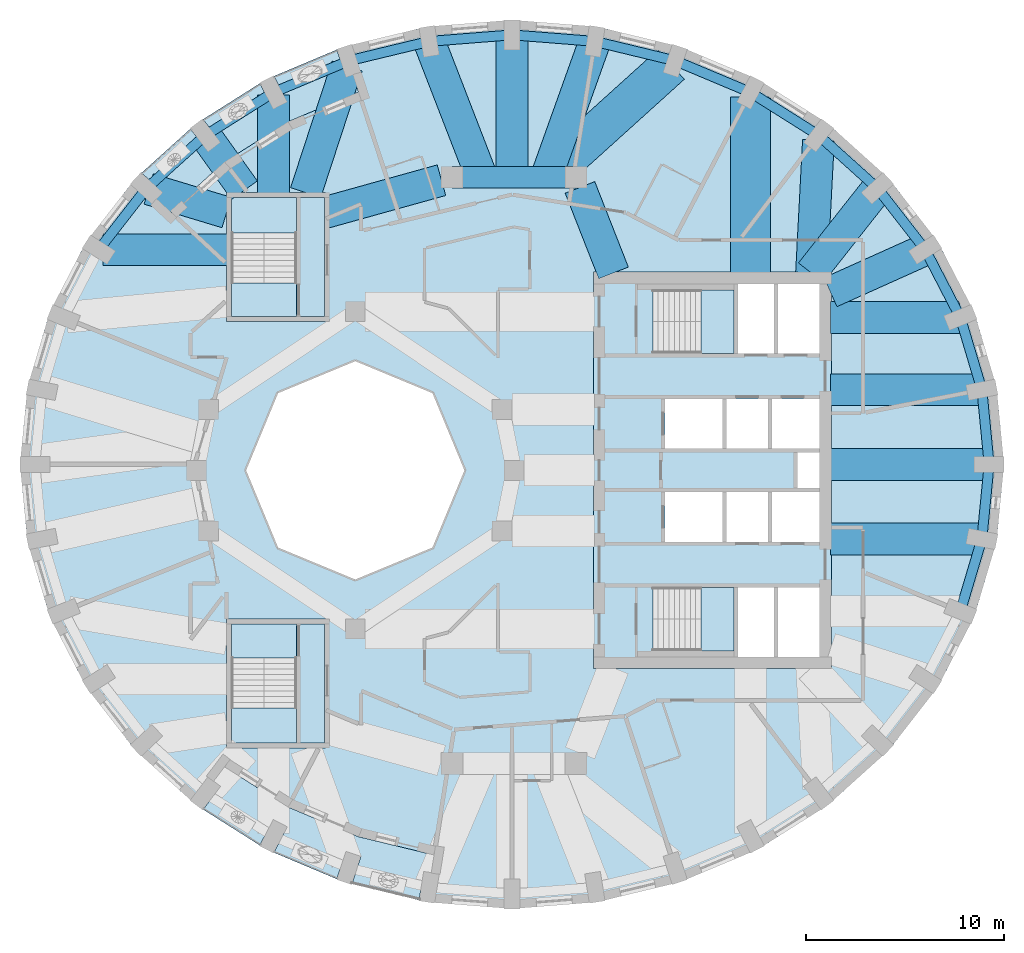
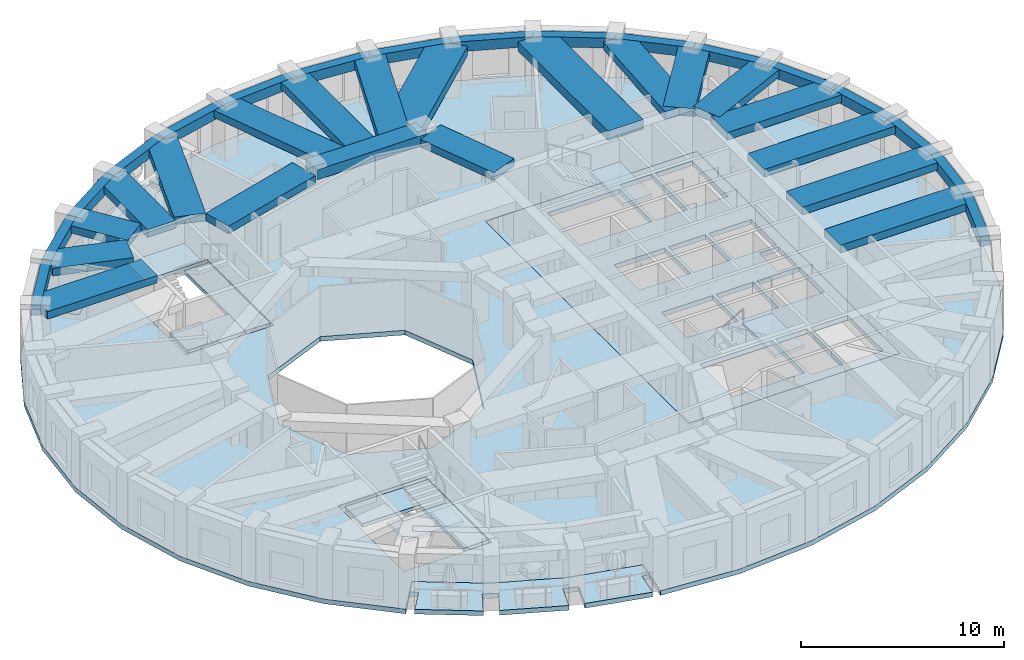
# One storey, part 2 of 12: 37 beams, 12 slabs, 4 elements without a shape of their own.
"""IFC4 building model written with IfcOpenShell, lengths in metres."""

from ifc_helpers import new_model, si_unit, direction, frame, origin, origin_2d, place, context, subcontext, project, spatial, polyline, rectangle, outline, extrude, material, layer, layer_set, material_profile, profile_set, type_object, element, aggregate, save


model = new_model("IFC4")

# Units and contexts
model_context = context("Model", 3, precision=1e-05, world=origin(), true_north=direction((0.0, 1.0)))
body_context = subcontext(model_context, "Body", "Model", "MODEL_VIEW")
ifc_project = project(units=[si_unit("LENGTHUNIT", "METRE"), si_unit("AREAUNIT", "SQUARE_METRE"), si_unit("VOLUMEUNIT", "CUBIC_METRE"), si_unit("PLANEANGLEUNIT", "RADIAN"), si_unit("MASSUNIT", "GRAM", prefix="KILO")], contexts=[model_context])

# Site, building, storey
site_placement = place(None, origin())
site = spatial("IfcSite", under=ifc_project, at=site_placement, CompositionType="ELEMENT")
building_placement = place(site_placement, origin())
building = spatial("IfcBuilding", under=site, at=building_placement, Name="Taillehof Tower", CompositionType="ELEMENT")
storey_placement = place(building_placement, frame((0.0, 0.0, 253.10009765625)))
storey = spatial("IfcBuildingStorey", under=building, at=storey_placement, Name="L72", CompositionType="ELEMENT", Elevation=253.10009765625)

# Beams
ifc_material_1 = material(Name="Concrete C50/60", Category="concrete")
ifc_material_profile_1 = material_profile(ifc_material_1, rectangle(XDim=1.10009765625, YDim=0.60009765625, at=origin_2d()), Name="RC 1100x600")
ifc_profile_set_1 = profile_set([ifc_material_profile_1], Name="Concrete C50/60")
beam_type_1 = type_object("IfcBeamType", Name="Mid-ring beam C50/60 1100x600", PredefinedType="BEAM", material=ifc_profile_set_1)
beam_1_placement = place(storey_placement, frame((3.125732421875, 14.772216796875, 2.719970703125), z_axis=(-1.0, 0.0, 0.0), x_axis=(0.0, -1.0, 0.0)))
element("IfcBeam", 1, at=beam_1_placement, inside=storey, type_object=beam_type_1, Name="Mid-ring beam MB01", PredefinedType="BEAM", context=body_context, shape_type="SweptSolid", body=[
    extrude(rectangle(XDim=1.10009765625, YDim=0.60009765625, at=origin_2d()), origin(), (0.0, 0.0, 1.0), 6.25146484375),
])
ifc_material_2 = material(Name="Concrete C50/60", Category="concrete")
ifc_material_profile_2 = material_profile(ifc_material_2, rectangle(XDim=1.60009765625, YDim=0.449951171875, at=origin_2d()), Name="RC 1600x450")
ifc_profile_set_2 = profile_set([ifc_material_profile_2], Name="Concrete C50/60")
beam_type_2 = type_object("IfcBeamType", Name="Radial band beam C50/60 1600x450", PredefinedType="BEAM", material=ifc_profile_set_2)
beam_2_placement = place(storey_placement, frame((23.949951171875, 0.300048828125, 2.794921875), z_axis=(-1.0, 0.0, 0.0), x_axis=(0.0, -1.0, 0.0)))
element("IfcBeam", 2, at=beam_2_placement, inside=storey, type_object=beam_type_2, Name="Radial band beam RB01", PredefinedType="BEAM", context=body_context, shape_type="SweptSolid", body=[
    extrude(rectangle(XDim=1.60009765625, YDim=0.449951171875, at=origin_2d()), origin(), (0.0, 0.0, 1.0), 8.0),
])
beam_3_placement = place(storey_placement, frame((23.584716796875, 4.0595703125, 2.794921875), z_axis=(-1.0, 0.0, 0.0), x_axis=(0.0, -1.0, 0.0)))
element("IfcBeam", 3, at=beam_3_placement, inside=storey, type_object=beam_type_2, Name="Radial band beam RB02", PredefinedType="BEAM", context=body_context, shape_type="SweptSolid", body=[
    extrude(rectangle(XDim=1.60009765625, YDim=0.449951171875, at=origin_2d()), origin(), (0.0, 0.0, 1.0), 7.634765625),
])
beam_4_placement = place(storey_placement, frame((22.44580078125, 7.704833984375, 2.794921875), z_axis=(-1.0, 0.0, 0.0), x_axis=(0.0, -1.0, 0.0)))
element("IfcBeam", 4, at=beam_4_placement, inside=storey, type_object=beam_type_2, Name="Radial band beam RB03", PredefinedType="BEAM", context=body_context, shape_type="SweptSolid", body=[
    extrude(rectangle(XDim=1.60009765625, YDim=0.449951171875, at=origin_2d()), origin(), (0.0, 0.0, 1.0), 6.495849609375),
])
beam_5_placement = place(storey_placement, frame((20.72802734375, 11.125, 2.794921875), z_axis=(-0.912110813011, -0.409943733685, 0.0), x_axis=(0.409943733685, -0.912110813011, 0.0)))
element("IfcBeam", 5, at=beam_5_placement, inside=storey, type_object=beam_type_2, Name="Radial band beam RB04", PredefinedType="BEAM", context=body_context, shape_type="SweptSolid", body=[
    extrude(rectangle(XDim=1.60009765625, YDim=0.449951171875, at=origin_2d()), origin(), (0.0, 0.0, 1.0), 5.233642578125),
])
beam_6_placement = place(storey_placement, frame((18.323486328125, 14.21630859375, 2.794921875), z_axis=(-0.619052480422, -0.785349620541, 0.0), x_axis=(0.785349620541, -0.619052480422, 0.0)))
element("IfcBeam", 6, at=beam_6_placement, inside=storey, type_object=beam_type_2, Name="Radial band beam RB05", PredefinedType="BEAM", context=body_context, shape_type="SweptSolid", body=[
    extrude(rectangle(XDim=1.60009765625, YDim=0.449951171875, at=origin_2d()), origin(), (0.0, 0.0, 1.0), 5.418701171875),
])
beam_7_placement = place(storey_placement, frame((15.3466796875, 16.645751953125, 2.794921875), z_axis=(-0.052105887855, -0.998641565553, 0.0), x_axis=(0.998641565553, -0.052105887855, 0.0)))
element("IfcBeam", 7, at=beam_7_placement, inside=storey, type_object=beam_type_2, Name="Radial band beam RB06", PredefinedType="BEAM", context=body_context, shape_type="SweptSolid", body=[
    extrude(rectangle(XDim=1.60009765625, YDim=0.449951171875, at=origin_2d()), origin(), (0.0, 0.0, 1.0), 6.704833984375),
])
beam_8_placement = place(storey_placement, frame((4.076171875, 21.62109375, 2.794921875), z_axis=(-0.33687426523, -0.941549642571, 0.0), x_axis=(0.941549642571, -0.33687426523, 0.0)))
element("IfcBeam", 8, at=beam_8_placement, inside=storey, type_object=beam_type_2, Name="Radial band beam RB09", PredefinedType="BEAM", context=body_context, shape_type="SweptSolid", body=[
    extrude(rectangle(XDim=1.60009765625, YDim=0.449951171875, at=origin_2d()), origin(), (0.0, 0.0, 1.0), 7.27392578125),
])
beam_9_placement = place(storey_placement, frame((-0.10009765625, 21.949951171875, 2.794921875), z_axis=(0.0, -1.0, 0.0), x_axis=(1.0, 0.0, 0.0)))
element("IfcBeam", 9, at=beam_9_placement, inside=storey, type_object=beam_type_2, Name="Radial band beam RB10", PredefinedType="BEAM", context=body_context, shape_type="SweptSolid", body=[
    extrude(rectangle(XDim=1.60009765625, YDim=0.449951171875, at=origin_2d()), origin(), (0.0, 0.0, 1.0), 7.177734375),
])
beam_10_placement = place(storey_placement, frame((-4.276123046875, 21.62109375, 2.794921875), z_axis=(0.360900836016, -0.932604196089, 0.0), x_axis=(0.932604196089, 0.360900836016, 0.0)))
element("IfcBeam", 10, at=beam_10_placement, inside=storey, type_object=beam_type_2, Name="Radial band beam RB11", PredefinedType="BEAM", context=body_context, shape_type="SweptSolid", body=[
    extrude(rectangle(XDim=1.60009765625, YDim=0.449951171875, at=origin_2d()), origin(), (0.0, 0.0, 1.0), 7.34375),
])
beam_11_placement = place(storey_placement, frame((-8.41162109375, 20.38134765625, 2.794921875), z_axis=(-0.311042642597, -0.950395956687, 0.0), x_axis=(0.950395956687, -0.311042642597, 0.0)))
element("IfcBeam", 11, at=beam_11_placement, inside=storey, type_object=beam_type_2, Name="Radial band beam RB12", PredefinedType="BEAM", context=body_context, shape_type="SweptSolid", body=[
    extrude(rectangle(XDim=1.60009765625, YDim=0.449951171875, at=origin_2d()), origin(), (0.0, 0.0, 1.0), 6.715576171875),
])
beam_12_placement = place(storey_placement, frame((-12.125, 18.91552734375, 2.794921875), z_axis=(0.0, -1.0, 0.0), x_axis=(1.0, 0.0, 0.0)))
element("IfcBeam", 12, at=beam_12_placement, inside=storey, type_object=beam_type_2, Name="Radial band beam RB13", PredefinedType="BEAM", context=body_context, shape_type="SweptSolid", body=[
    extrude(rectangle(XDim=1.60009765625, YDim=0.449951171875, at=origin_2d()), origin(), (0.0, 0.0, 1.0), 4.965576171875),
])
beam_13_placement = place(storey_placement, frame((-15.55908203125, 16.884765625, 2.794921875), z_axis=(0.580959197129, -0.813932682272, 0.0), x_axis=(0.813932682272, 0.580959197129, 0.0)))
element("IfcBeam", 13, at=beam_13_placement, inside=storey, type_object=beam_type_2, Name="Radial band beam RB14", PredefinedType="BEAM", context=body_context, shape_type="SweptSolid", body=[
    extrude(rectangle(XDim=1.60009765625, YDim=0.449951171875, at=origin_2d()), origin(), (0.0, 0.0, 1.0), 3.394287109375),
])
beam_14_placement = place(storey_placement, frame((-18.413818359375, 14.18310546875, 2.794921875), z_axis=(0.957221394865, -0.289356529584, 0.0), x_axis=(0.289356529584, 0.957221394865, 0.0)))
element("IfcBeam", 14, at=beam_14_placement, inside=storey, type_object=beam_type_2, Name="Radial band beam RB15", PredefinedType="BEAM", context=body_context, shape_type="SweptSolid", body=[
    extrude(rectangle(XDim=1.60009765625, YDim=0.449951171875, at=origin_2d()), origin(), (0.0, 0.0, 1.0), 4.102294921875),
])
beam_15_placement = place(storey_placement, frame((-20.7119140625, 11.125, 2.794921875), z_axis=(1.0, 0.0, 0.0), x_axis=(0.0, 1.0, 0.0)))
element("IfcBeam", 15, at=beam_15_placement, inside=storey, type_object=beam_type_2, Name="Radial band beam RB16", PredefinedType="BEAM", context=body_context, shape_type="SweptSolid", body=[
    extrude(rectangle(XDim=1.60009765625, YDim=0.449951171875, at=origin_2d()), origin(), (0.0, 0.0, 1.0), 6.261962890625),
])
beam_16_placement = place(storey_placement, frame((23.584716796875, -3.45947265625, 2.794921875), z_axis=(-1.0, 0.0, 0.0), x_axis=(0.0, -1.0, 0.0)))
element("IfcBeam", 16, at=beam_16_placement, inside=storey, type_object=beam_type_2, Name="Radial band beam RB36", PredefinedType="BEAM", context=body_context, shape_type="SweptSolid", body=[
    extrude(rectangle(XDim=1.60009765625, YDim=0.449951171875, at=origin_2d()), origin(), (0.0, 0.0, 1.0), 7.634765625),
])
beam_17_placement = place(storey_placement, frame((3.32666015625, 14.26025390625, 2.794921875), z_axis=(0.365588707223, -0.930776502255, 0.0), x_axis=(0.930776502255, 0.365588707223, 0.0)))
element("IfcBeam", 17, at=beam_17_placement, inside=storey, type_object=beam_type_2, Name="Inner band beam IB205", PredefinedType="BEAM", context=body_context, shape_type="SweptSolid", body=[
    extrude(rectangle(XDim=1.60009765625, YDim=0.449951171875, at=origin_2d()), origin(), (0.0, 0.0, 1.0), 4.627197265625),
])
beam_18_placement = place(storey_placement, frame((-3.655517578125, 14.624755859375, 2.794921875), z_axis=(-0.963459369536, -0.267854518821, 0.0), x_axis=(0.267854518821, -0.963459369536, 0.0)))
element("IfcBeam", 18, at=beam_18_placement, inside=storey, type_object=beam_type_2, Name="Inner band beam IB206", PredefinedType="BEAM", context=body_context, shape_type="SweptSolid", body=[
    extrude(rectangle(XDim=1.60009765625, YDim=0.449951171875, at=origin_2d()), origin(), (0.0, 0.0, 1.0), 6.096923828125),
])
ifc_material_3 = material(Name="Concrete C50/60", Category="concrete")
ifc_material_profile_3 = material_profile(ifc_material_3, rectangle(XDim=2.0, YDim=0.550048828125, at=origin_2d()), Name="RC 2000x550")
ifc_profile_set_3 = profile_set([ifc_material_profile_3], Name="Concrete C50/60")
beam_type_3 = type_object("IfcBeamType", Name="Radial band beam C50/60 2000x550", PredefinedType="BEAM", material=ifc_profile_set_3)
beam_19_placement = place(storey_placement, frame((11.925048828125, 18.8115234375, 2.744873046875), z_axis=(0.0, -1.0, 0.0), x_axis=(1.0, 0.0, 0.0)))
element("IfcBeam", 19, at=beam_19_placement, inside=storey, type_object=beam_type_3, Name="Radial band beam RB07", PredefinedType="BEAM", context=body_context, shape_type="SweptSolid", body=[
    extrude(rectangle(XDim=2.0, YDim=0.550048828125, at=origin_2d()), origin(), (0.0, 0.0, 1.0), 8.861572265625),
])
beam_20_placement = place(storey_placement, frame((7.9150390625, 20.4541015625, 2.744873046875), z_axis=(-0.742031364941, -0.670365164253, 0.0), x_axis=(0.670365164253, -0.742031364941, 0.0)))
element("IfcBeam", 20, at=beam_20_placement, inside=storey, type_object=beam_type_3, Name="Radial band beam RB08", PredefinedType="BEAM", context=body_context, shape_type="SweptSolid", body=[
    extrude(rectangle(XDim=2.0, YDim=0.550048828125, at=origin_2d()), origin(), (0.0, 0.0, 1.0), 8.189453125),
])
ifc_material_4 = material(Name="Concrete C50/60", Category="concrete")
ifc_material_profile_4 = material_profile(ifc_material_4, rectangle(XDim=0.5, YDim=0.60009765625, at=origin_2d()), Name="RC 500x600")
ifc_profile_set_4 = profile_set([ifc_material_profile_4], Name="Concrete C50/60")
beam_type_4 = type_object("IfcBeamType", Name="Spandrel beam C50/60 500x600", PredefinedType="SPANDREL", material=ifc_profile_set_4)
beam_21_placement = place(storey_placement, frame((23.949951171875, 0.300048828125, 2.719970703125), z_axis=(-0.096693940319, 0.995314162416, 0.0), x_axis=(-0.995314162416, -0.096693940319, 0.0)))
element("IfcBeam", 21, at=beam_21_placement, inside=storey, type_object=beam_type_4, Name="Spandrel beam SB01", PredefinedType="SPANDREL", context=body_context, shape_type="SweptSolid", body=[
    extrude(rectangle(XDim=0.5, YDim=0.60009765625, at=origin_2d()), origin(), (0.0, 0.0, 1.0), 3.777099609375),
])
beam_22_placement = place(storey_placement, frame((23.584716796875, 4.0595703125, 2.719970703125), z_axis=(-0.285327303248, 0.95843013831, 0.0), x_axis=(-0.95843013831, -0.285327303248, 0.0)))
element("IfcBeam", 22, at=beam_22_placement, inside=storey, type_object=beam_type_4, Name="Spandrel beam SB02", PredefinedType="SPANDREL", context=body_context, shape_type="SweptSolid", body=[
    extrude(rectangle(XDim=0.5, YDim=0.60009765625, at=origin_2d()), origin(), (0.0, 0.0, 1.0), 3.803466796875),
])
beam_23_placement = place(storey_placement, frame((22.49951171875, 7.704833984375, 2.719970703125), z_axis=(-0.45992118545, 0.887959741865, 0.0), x_axis=(-0.887959741865, -0.45992118545, 0.0)))
element("IfcBeam", 23, at=beam_23_placement, inside=storey, type_object=beam_type_4, Name="Spandrel beam SB03", PredefinedType="SPANDREL", context=body_context, shape_type="SweptSolid", body=[
    extrude(rectangle(XDim=0.5, YDim=0.60009765625, at=origin_2d()), origin(), (0.0, 0.0, 1.0), 3.851806640625),
])
beam_24_placement = place(storey_placement, frame((20.72802734375, 11.125, 2.719970703125), z_axis=(-0.613970823209, 0.78932872002, 0.0), x_axis=(-0.78932872002, -0.613970823209, 0.0)))
element("IfcBeam", 24, at=beam_24_placement, inside=storey, type_object=beam_type_4, Name="Spandrel beam SB04", PredefinedType="SPANDREL", context=body_context, shape_type="SweptSolid", body=[
    extrude(rectangle(XDim=0.5, YDim=0.60009765625, at=origin_2d()), origin(), (0.0, 0.0, 1.0), 3.916259765625),
])
beam_25_placement = place(storey_placement, frame((18.323486328125, 14.21630859375, 2.719970703125), z_axis=(-0.743227182134, 0.669039128704, 0.0), x_axis=(-0.669039128704, -0.743227182134, 0.0)))
element("IfcBeam", 25, at=beam_25_placement, inside=storey, type_object=beam_type_4, Name="Spandrel beam SB05", PredefinedType="SPANDREL", context=body_context, shape_type="SweptSolid", body=[
    extrude(rectangle(XDim=0.5, YDim=0.60009765625, at=origin_2d()), origin(), (0.0, 0.0, 1.0), 3.988525390625),
])
beam_26_placement = place(storey_placement, frame((15.359130859375, 16.884765625, 2.719970703125), z_axis=(-0.845944476237, 0.5332709847, 0.0), x_axis=(-0.5332709847, -0.845944476237, 0.0)))
element("IfcBeam", 26, at=beam_26_placement, inside=storey, type_object=beam_type_4, Name="Spandrel beam SB06", PredefinedType="SPANDREL", context=body_context, shape_type="SweptSolid", body=[
    extrude(rectangle(XDim=0.5, YDim=0.60009765625, at=origin_2d()), origin(), (0.0, 0.0, 1.0), 4.0595703125),
])
beam_27_placement = place(storey_placement, frame((11.925048828125, 19.049560546875, 2.719970703125), z_axis=(-0.922076419735, 0.387007850267, 0.0), x_axis=(-0.387007850267, -0.922076419735, 0.0)))
element("IfcBeam", 27, at=beam_27_placement, inside=storey, type_object=beam_type_4, Name="Spandrel beam SB07", PredefinedType="SPANDREL", context=body_context, shape_type="SweptSolid", body=[
    extrude(rectangle(XDim=0.5, YDim=0.60009765625, at=origin_2d()), origin(), (0.0, 0.0, 1.0), 4.12060546875),
])
beam_28_placement = place(storey_placement, frame((8.12548828125, 20.644287109375, 2.719970703125), z_axis=(-0.972115850295, 0.234501116425, 0.0), x_axis=(-0.234501116425, -0.972115850295, 0.0)))
element("IfcBeam", 28, at=beam_28_placement, inside=storey, type_object=beam_type_4, Name="Spandrel beam SB08", PredefinedType="SPANDREL", context=body_context, shape_type="SweptSolid", body=[
    extrude(rectangle(XDim=0.5, YDim=0.60009765625, at=origin_2d()), origin(), (0.0, 0.0, 1.0), 4.16552734375),
])
beam_29_placement = place(storey_placement, frame((4.076171875, 21.62109375, 2.719970703125), z_axis=(-0.996914011582, 0.078501296247, 0.0), x_axis=(-0.078501296247, -0.996914011582, 0.0)))
element("IfcBeam", 29, at=beam_29_placement, inside=storey, type_object=beam_type_4, Name="Spandrel beam SB09", PredefinedType="SPANDREL", context=body_context, shape_type="SweptSolid", body=[
    extrude(rectangle(XDim=0.5, YDim=0.60009765625, at=origin_2d()), origin(), (0.0, 0.0, 1.0), 4.189208984375),
])
beam_30_placement = place(storey_placement, frame((-0.10009765625, 21.949951171875, 2.719970703125), z_axis=(-0.996913652411, -0.07850585734, 0.0), x_axis=(0.07850585734, -0.996913652411, 0.0)))
element("IfcBeam", 30, at=beam_30_placement, inside=storey, type_object=beam_type_4, Name="Spandrel beam SB10", PredefinedType="SPANDREL", context=body_context, shape_type="SweptSolid", body=[
    extrude(rectangle(XDim=0.5, YDim=0.60009765625, at=origin_2d()), origin(), (0.0, 0.0, 1.0), 4.18896484375),
])
beam_31_placement = place(storey_placement, frame((-4.276123046875, 21.62109375, 2.719970703125), z_axis=(-0.972119073064, -0.234487756154, 0.0), x_axis=(0.234487756154, -0.972119073064, 0.0)))
element("IfcBeam", 31, at=beam_31_placement, inside=storey, type_object=beam_type_4, Name="Spandrel beam SB11", PredefinedType="SPANDREL", context=body_context, shape_type="SweptSolid", body=[
    extrude(rectangle(XDim=0.5, YDim=0.60009765625, at=origin_2d()), origin(), (0.0, 0.0, 1.0), 4.165771484375),
])
beam_32_placement = place(storey_placement, frame((-8.32568359375, 20.644287109375, 2.719970703125), z_axis=(-0.922067545136, -0.387028994013, 0.0), x_axis=(0.387028994013, -0.922067545136, 0.0)))
element("IfcBeam", 32, at=beam_32_placement, inside=storey, type_object=beam_type_4, Name="Spandrel beam SB12", PredefinedType="SPANDREL", context=body_context, shape_type="SweptSolid", body=[
    extrude(rectangle(XDim=0.5, YDim=0.60009765625, at=origin_2d()), origin(), (0.0, 0.0, 1.0), 4.120361328125),
])
beam_33_placement = place(storey_placement, frame((-12.125, 19.049560546875, 2.719970703125), z_axis=(-0.845944476237, -0.5332709847, 0.0), x_axis=(0.5332709847, -0.845944476237, 0.0)))
element("IfcBeam", 33, at=beam_33_placement, inside=storey, type_object=beam_type_4, Name="Spandrel beam SB13", PredefinedType="SPANDREL", context=body_context, shape_type="SweptSolid", body=[
    extrude(rectangle(XDim=0.5, YDim=0.60009765625, at=origin_2d()), origin(), (0.0, 0.0, 1.0), 4.0595703125),
])
beam_34_placement = place(storey_placement, frame((-15.55908203125, 16.884765625, 2.719970703125), z_axis=(-0.743227182134, -0.669039128704, 0.0), x_axis=(0.669039128704, -0.743227182134, 0.0)))
element("IfcBeam", 34, at=beam_34_placement, inside=storey, type_object=beam_type_4, Name="Spandrel beam SB14", PredefinedType="SPANDREL", context=body_context, shape_type="SweptSolid", body=[
    extrude(rectangle(XDim=0.5, YDim=0.60009765625, at=origin_2d()), origin(), (0.0, 0.0, 1.0), 3.988525390625),
])
beam_35_placement = place(storey_placement, frame((-18.5234375, 14.21630859375, 2.719970703125), z_axis=(-0.613970823209, -0.78932872002, 0.0), x_axis=(0.78932872002, -0.613970823209, 0.0)))
element("IfcBeam", 35, at=beam_35_placement, inside=storey, type_object=beam_type_4, Name="Spandrel beam SB15", PredefinedType="SPANDREL", context=body_context, shape_type="SweptSolid", body=[
    extrude(rectangle(XDim=0.5, YDim=0.60009765625, at=origin_2d()), origin(), (0.0, 0.0, 1.0), 3.916259765625),
])
beam_36_placement = place(storey_placement, frame((22.49951171875, -7.104736328125, 2.719970703125), z_axis=(0.285327303248, 0.95843013831, 0.0), x_axis=(-0.95843013831, 0.285327303248, 0.0)))
element("IfcBeam", 36, at=beam_36_placement, inside=storey, type_object=beam_type_4, Name="Spandrel beam SB35", PredefinedType="SPANDREL", context=body_context, shape_type="SweptSolid", body=[
    extrude(rectangle(XDim=0.5, YDim=0.60009765625, at=origin_2d()), origin(), (0.0, 0.0, 1.0), 3.803466796875),
])
beam_37_placement = place(storey_placement, frame((23.584716796875, -3.45947265625, 2.719970703125), z_axis=(0.096693940319, 0.995314162416, 0.0), x_axis=(-0.995314162416, 0.096693940319, 0.0)))
element("IfcBeam", 37, at=beam_37_placement, inside=storey, type_object=beam_type_4, Name="Spandrel beam SB36", PredefinedType="SPANDREL", context=body_context, shape_type="SweptSolid", body=[
    extrude(rectangle(XDim=0.5, YDim=0.60009765625, at=origin_2d()), origin(), (0.0, 0.0, 1.0), 3.777099609375),
])

# Slabs
ifc_material_5 = material(Name="Concrete C40/50", Category="concrete")
ifc_layer_1 = layer(ifc_material_5, 0.280029296875)
ifc_layer_set_1 = layer_set([ifc_layer_1], Name="Balcony slab 280")
slab_type_1 = type_object("IfcSlabType", Name="Balcony slab 280", PredefinedType="USERDEFINED", material=ifc_layer_set_1)
slab_1_placement = place(storey_placement, frame((0.0, 0.0, -0.280029296875)))
element("IfcSlab", 38, at=slab_1_placement, inside=storey, type_object=slab_type_1, Name="Balcony L72 pocket 3", ObjectType="BALCONY", PredefinedType="USERDEFINED", context=body_context, shape_type="SweptSolid", body=[
    extrude(outline(polyline([(-17.339599609375, 13.06494140625), (-17.999755859375, 13.67822265625), (-17.70166015625, 13.9990234375), (-18.771728515625, 14.9931640625), (-16.311279296875, 17.21533203125), (-15.4248046875, 16.04541015625), (-14.787353515625, 16.52880859375), (-15.67041015625, 17.69384765625), (-12.81201171875, 19.501708984375), (-12.1328125, 18.199462890625), (-11.423583984375, 18.5693359375), (-12.100341796875, 19.8671875), (-8.93017578125, 21.20263671875), (-8.471435546875, 19.806884765625), (-8.11376953125, 19.924560546875), (-7.83251953125, 19.069091796875), (-11.390380859375, 17.571044921875), (-14.591552734375, 15.546630859375), (-17.339599609375, 13.06494140625)])), origin(), (0.0, 0.0, 1.0), 0.280029296875),
])
slab_2_placement = place(storey_placement, frame((0.0, 0.0, -0.280029296875)))
element("IfcSlab", 39, at=slab_2_placement, inside=storey, type_object=slab_type_1, Name="Balcony L72 pocket 7", ObjectType="BALCONY", PredefinedType="USERDEFINED", context=body_context, shape_type="SweptSolid", body=[
    extrude(outline(polyline([(-4.029052734375, -19.3896484375), (-4.170654296875, -20.278564453125), (-4.55322265625, -20.217529296875), (-4.784423828125, -21.668212890625), (-8.169189453125, -20.84912109375), (-7.71142578125, -19.456787109375), (-8.471435546875, -19.20703125), (-8.93017578125, -20.6025390625), (-12.100341796875, -19.267333984375), (-11.423583984375, -17.969482421875), (-12.1328125, -17.599365234375), (-12.81201171875, -18.901611328125), (-15.67041015625, -17.093994140625), (-14.787353515625, -15.9287109375), (-15.1357421875, -15.664794921875), (-14.591552734375, -14.94677734375), (-11.390380859375, -16.970947265625), (-7.83251953125, -18.46923828125), (-4.029052734375, -19.3896484375)])), origin(), (0.0, 0.0, 1.0), 0.280029296875),
])
ifc_material_6 = material(Name="Concrete C40/50", Category="concrete")
ifc_layer_2 = layer(ifc_material_6, 0.280029296875)
ifc_layer_set_2 = layer_set([ifc_layer_2], Name="Core floor slab C40/50 280")
slab_type_2 = type_object("IfcSlabType", Name="Core floor slab C40/50 280", PredefinedType="FLOOR", material=ifc_layer_set_2)
slab_3_placement = place(storey_placement, frame((0.0, 0.0, -0.280029296875)))
element("IfcSlab", 40, at=slab_3_placement, inside=storey, type_object=slab_type_2, Name="Core floor L72", PredefinedType="FLOOR", context=body_context, shape_type="SweptSolid", body=[
    extrude(outline(polyline([(4.0, -10.0), (4.0, 10.0), (16.0, 10.0), (16.0, -10.0), (4.0, -10.0)]), holes=[polyline([(11.10009765625, -9.10009765625), (11.10009765625, -5.89990234375), (7.00048828125, -5.89990234375), (7.00048828125, -9.10009765625), (11.10009765625, -9.10009765625)]), polyline([(10.5, -3.60009765625), (10.5, -1.10009765625), (7.60009765625, -1.10009765625), (7.60009765625, -3.60009765625), (10.5, -3.60009765625)]), polyline([(12.800048828125, -3.60009765625), (12.800048828125, -1.10009765625), (10.699951171875, -1.10009765625), (10.699951171875, -3.60009765625), (12.800048828125, -3.60009765625)]), polyline([(10.5, 3.60009765625), (7.60009765625, 3.60009765625), (7.60009765625, 1.10009765625), (10.5, 1.10009765625), (10.5, 3.60009765625)]), polyline([(12.800048828125, 1.10009765625), (12.800048828125, 3.60009765625), (10.699951171875, 3.60009765625), (10.699951171875, 1.10009765625), (12.800048828125, 1.10009765625)]), polyline([(11.10009765625, 5.89990234375), (11.10009765625, 9.10009765625), (7.00048828125, 9.10009765625), (7.00048828125, 5.89990234375), (11.10009765625, 5.89990234375)]), polyline([(13.10009765625, 9.39990234375), (11.300048828125, 9.39990234375), (11.300048828125, 5.89990234375), (13.10009765625, 5.89990234375), (13.10009765625, 9.39990234375)]), polyline([(13.10009765625, -9.39990234375), (13.10009765625, -5.89990234375), (11.300048828125, -5.89990234375), (11.300048828125, -9.39990234375), (13.10009765625, -9.39990234375)]), polyline([(15.39990234375, -9.39990234375), (15.39990234375, -5.89990234375), (13.300048828125, -5.89990234375), (13.300048828125, -9.39990234375), (15.39990234375, -9.39990234375)]), polyline([(15.39990234375, -3.60009765625), (15.39990234375, -1.10009765625), (13.0, -1.10009765625), (13.0, -3.60009765625), (15.39990234375, -3.60009765625)]), polyline([(15.39990234375, -0.89990234375), (15.39990234375, 0.89990234375), (14.300048828125, 0.89990234375), (14.300048828125, -0.89990234375), (15.39990234375, -0.89990234375)]), polyline([(15.39990234375, 1.10009765625), (15.39990234375, 3.60009765625), (13.0, 3.60009765625), (13.0, 1.10009765625), (15.39990234375, 1.10009765625)]), polyline([(15.39990234375, 5.89990234375), (15.39990234375, 9.39990234375), (13.300048828125, 9.39990234375), (13.300048828125, 5.89990234375), (15.39990234375, 5.89990234375)])]), origin(), (0.0, 0.0, 1.0), 0.280029296875),
])
ifc_material_7 = material(Name="Concrete C40/50", Category="concrete")
ifc_layer_3 = layer(ifc_material_7, 0.280029296875)
ifc_layer_set_3 = layer_set([ifc_layer_3], Name="Floor slab 280")
slab_type_3 = type_object("IfcSlabType", Name="Floor slab 280", PredefinedType="FLOOR", material=ifc_layer_set_3)
slab_4_placement = place(storey_placement, frame((0.0, 0.0, -0.280029296875)))
element("IfcSlab", 41, at=slab_4_placement, inside=storey, type_object=slab_type_3, Name="Floor slab L72", PredefinedType="FLOOR", context=body_context, shape_type="SweptSolid", body=[
    extrude(outline(polyline([(24.699951171875, 0.300048828125), (24.3232421875, 4.189697265625), (23.204345703125, 7.961181640625), (21.37744140625, 11.5), (18.89794921875, 14.698486328125), (15.841064453125, 17.45947265625), (12.300048828125, 19.698974609375), (8.382080078125, 21.34912109375), (4.20654296875, 22.359619140625), (-0.10009765625, 22.699951171875), (-4.406494140625, 22.359619140625), (-8.58203125, 21.34912109375), (-7.83251953125, 19.069091796875), (-11.390380859375, 17.57080078125), (-14.591552734375, 15.546630859375), (-17.339599609375, 13.06494140625), (-19.097900390625, 14.698486328125), (-21.577392578125, 11.5), (-23.404296875, 7.961181640625), (-24.523193359375, 4.189697265625), (-24.89990234375, 0.300048828125), (-24.523193359375, -3.589599609375), (-23.404296875, -7.361328125), (-21.577392578125, -10.89990234375), (-19.097900390625, -14.098388671875), (-16.041015625, -16.859375), (-14.591552734375, -14.94677734375), (-11.390380859375, -16.970947265625), (-7.83251953125, -18.46923828125), (-4.029052734375, -19.3896484375), (-4.406494140625, -21.759765625), (-0.10009765625, -22.10009765625), (4.20654296875, -21.759765625), (8.382080078125, -20.7490234375), (12.300048828125, -19.09912109375), (15.841064453125, -16.859375), (18.89794921875, -14.098388671875), (21.37744140625, -10.89990234375), (23.204345703125, -7.361328125), (24.3232421875, -3.589599609375), (24.699951171875, 0.300048828125)]), holes=[polyline([(-14.5, -7.5), (-9.5, -7.5), (-9.5, -14.0), (-14.5, -14.0), (-14.5, -7.5)]), polyline([(-8.0, -5.5), (-11.88916015625, -3.88916015625), (-13.5, 0.0), (-11.88916015625, 3.88916015625), (-8.0, 5.5), (-4.11083984375, 3.88916015625), (-2.5, 0.0), (-4.11083984375, -3.88916015625), (-8.0, -5.5)]), polyline([(16.0, 10.0), (16.0, -10.0), (4.0, -10.0), (4.0, 10.0), (16.0, 10.0)]), polyline([(-14.5, 14.0), (-9.5, 14.0), (-9.5, 7.5), (-14.5, 7.5), (-14.5, 14.0)])]), origin(), (0.0, 0.0, 1.0), 0.280029296875),
])

# Stair, slab
ifc_material_8 = material(Name="Concrete C40/50", Category="concrete")
stair_type = type_object("IfcStairType", Name="Exit stair half-turn", PredefinedType="HALF_TURN_STAIR", material=ifc_material_8)
stair_1_placement = place(storey_placement, origin())
stair_1 = element("IfcStair", 42, at=stair_1_placement, inside=storey, type_object=stair_type, Name="Exit stair S1", PredefinedType="HALF_TURN_STAIR")
ifc_material_9 = material(Name="Concrete C40/50", Category="concrete")
ifc_layer_4 = layer(ifc_material_9, 0.2099609375)
ifc_layer_set_4 = layer_set([ifc_layer_4], Name="Stair landing C40/50 210")
slab_type_4 = type_object("IfcSlabType", Name="Stair landing C40/50 210", PredefinedType="LANDING", material=ifc_layer_set_4)
slab_5_placement = place(storey_placement, frame((0.0, 0.0, 1.43994140625)))
slab_5 = element("IfcSlab", 43, at=slab_5_placement, type_object=slab_type_4, Name="S1 landing 1", PredefinedType="LANDING", context=body_context, shape_type="SweptSolid", body=[
    extrude(outline(polyline([(9.429931640625, 5.89990234375), (11.10009765625, 5.89990234375), (11.10009765625, 9.10009765625), (9.429931640625, 9.10009765625), (9.429931640625, 5.89990234375)])), origin(), (0.0, 0.0, 1.0), 0.2099609375),
])
aggregate(stair_1, [slab_5])

stair_2_placement = place(storey_placement, origin())
stair_2 = element("IfcStair", 44, at=stair_2_placement, inside=storey, type_object=stair_type, Name="Exit stair S2", PredefinedType="HALF_TURN_STAIR")
slab_6_placement = place(storey_placement, frame((0.0, 0.0, 1.43994140625)))
slab_6 = element("IfcSlab", 45, at=slab_6_placement, type_object=slab_type_4, Name="S2 landing 1", PredefinedType="LANDING", context=body_context, shape_type="SweptSolid", body=[
    extrude(outline(polyline([(9.429931640625, -5.89990234375), (11.10009765625, -5.89990234375), (11.10009765625, -9.10009765625), (9.429931640625, -9.10009765625), (9.429931640625, -5.89990234375)])), origin(), (0.0, 0.0, 1.0), 0.2099609375),
])
aggregate(stair_2, [slab_6])

stair_3_placement = place(storey_placement, origin())
stair_3 = element("IfcStair", 46, at=stair_3_placement, inside=storey, type_object=stair_type, Name="Exit stair S3", PredefinedType="HALF_TURN_STAIR")
slab_7_placement = place(storey_placement, frame((0.0, 0.0, 1.43994140625)))
slab_7 = element("IfcSlab", 47, at=slab_7_placement, type_object=slab_type_4, Name="S3 landing 1", PredefinedType="LANDING", context=body_context, shape_type="SweptSolid", body=[
    extrude(outline(polyline([(-14.25, 11.969970703125), (-14.25, 13.75), (-10.949951171875, 13.75), (-10.949951171875, 11.969970703125), (-14.25, 11.969970703125)])), origin(), (0.0, 0.0, 1.0), 0.2099609375),
])
aggregate(stair_3, [slab_7])

stair_4_placement = place(storey_placement, origin())
stair_4 = element("IfcStair", 48, at=stair_4_placement, inside=storey, type_object=stair_type, Name="Exit stair S4", PredefinedType="HALF_TURN_STAIR")
slab_8_placement = place(storey_placement, frame((0.0, 0.0, 1.43994140625)))
slab_8 = element("IfcSlab", 49, at=slab_8_placement, type_object=slab_type_4, Name="S4 landing 1", PredefinedType="LANDING", context=body_context, shape_type="SweptSolid", body=[
    extrude(outline(polyline([(-14.25, -11.969970703125), (-14.25, -13.75), (-10.949951171875, -13.75), (-10.949951171875, -11.969970703125), (-14.25, -11.969970703125)])), origin(), (0.0, 0.0, 1.0), 0.2099609375),
])
aggregate(stair_4, [slab_8])

# Slabs
slab_9_placement = place(storey_placement, frame((0.0, 0.0, -0.210205078125)))
element("IfcSlab", 50, at=slab_9_placement, inside=storey, type_object=slab_type_4, Name="Stair S3 floor landing", PredefinedType="LANDING", context=body_context, shape_type="SweptSolid", body=[
    extrude(outline(polyline([(-14.25, 7.75), (-14.25, 9.449951171875), (-10.949951171875, 9.449951171875), (-10.949951171875, 7.75), (-14.25, 7.75)])), origin(), (0.0, 0.0, 1.0), 0.210205078125),
])
slab_10_placement = place(storey_placement, frame((0.0, 0.0, -0.210205078125)))
element("IfcSlab", 51, at=slab_10_placement, inside=storey, type_object=slab_type_4, Name="Stair lobby S3 floor", PredefinedType="LANDING", context=body_context, shape_type="SweptSolid", body=[
    extrude(outline(polyline([(-10.949951171875, 7.75), (-9.550048828125, 7.75), (-9.550048828125, 13.75), (-10.949951171875, 13.75), (-10.949951171875, 7.75)])), origin(), (0.0, 0.0, 1.0), 0.210205078125),
])
slab_11_placement = place(storey_placement, frame((0.0, 0.0, -0.210205078125)))
element("IfcSlab", 52, at=slab_11_placement, inside=storey, type_object=slab_type_4, Name="Stair S4 floor landing", PredefinedType="LANDING", context=body_context, shape_type="SweptSolid", body=[
    extrude(outline(polyline([(-14.25, -7.75), (-14.25, -9.449951171875), (-10.949951171875, -9.449951171875), (-10.949951171875, -7.75), (-14.25, -7.75)])), origin(), (0.0, 0.0, 1.0), 0.210205078125),
])
slab_12_placement = place(storey_placement, frame((0.0, 0.0, -0.210205078125)))
element("IfcSlab", 53, at=slab_12_placement, inside=storey, type_object=slab_type_4, Name="Stair lobby S4 floor", PredefinedType="LANDING", context=body_context, shape_type="SweptSolid", body=[
    extrude(outline(polyline([(-10.949951171875, -13.75), (-9.550048828125, -13.75), (-9.550048828125, -7.75), (-10.949951171875, -7.75), (-10.949951171875, -13.75)])), origin(), (0.0, 0.0, 1.0), 0.210205078125),
])

save(model, "model.ifc")
